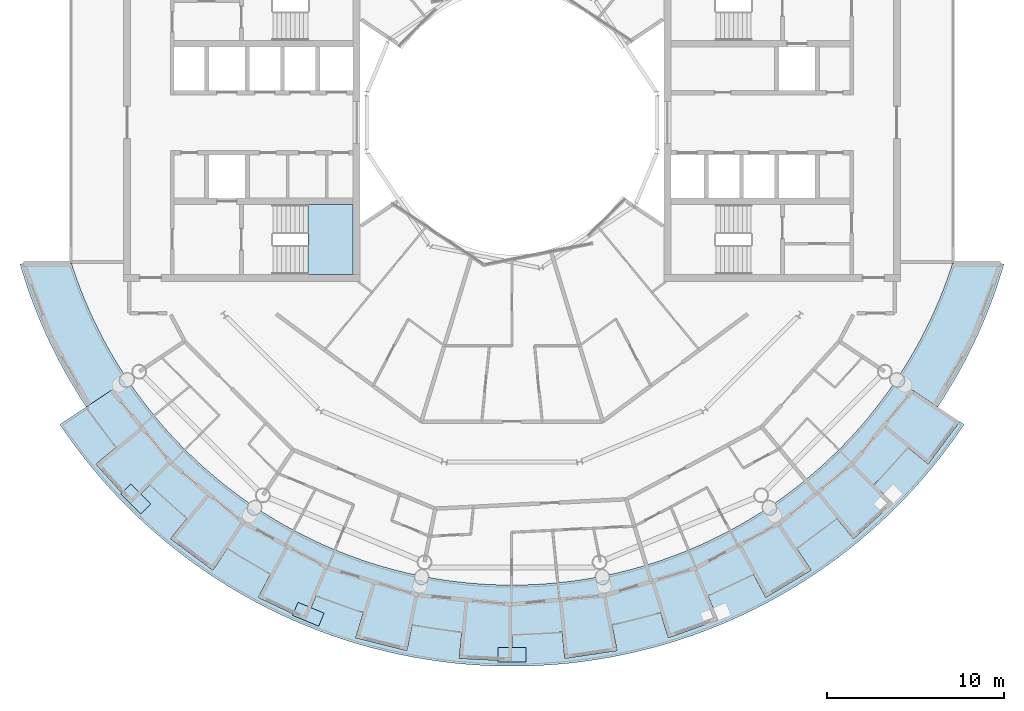
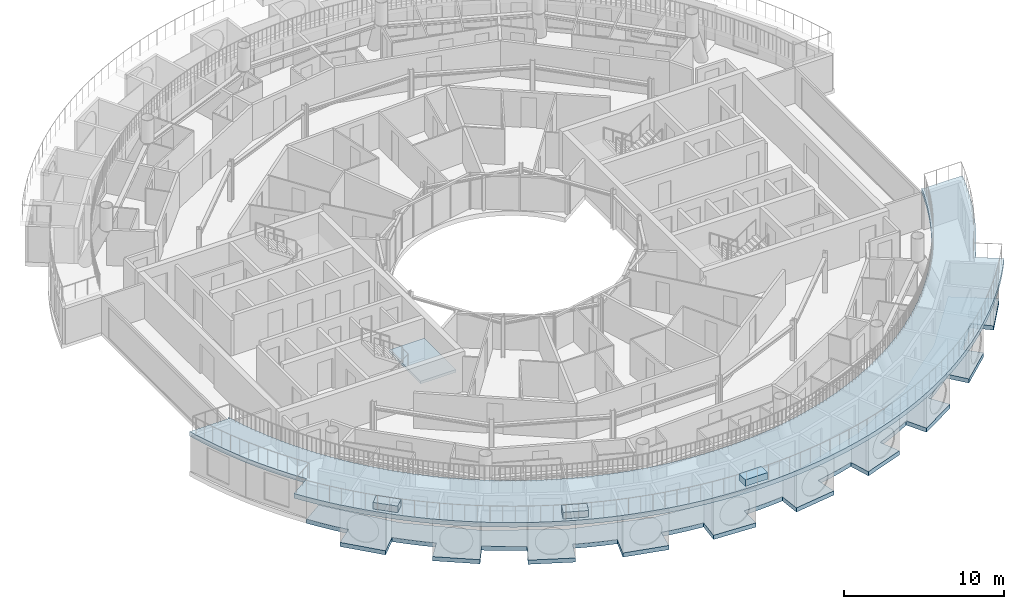
# One storey, part 11 of 29: 6 slabs, 1 element without a shape of its own.
"""IFC4 building model written with IfcOpenShell, lengths in metres."""

from ifc_helpers import new_model, si_unit, direction, frame, origin, place, context, subcontext, project, spatial, polyline, outline, extrude, material, layer, layer_set, type_object, element, aggregate, save


model = new_model("IFC4")

# Units and contexts
model_context = context("Model", 3, precision=1e-05, world=origin(), true_north=direction((0.0, 1.0)))
body_context = subcontext(model_context, "Body", "Model", "MODEL_VIEW")
ifc_project = project(units=[si_unit("LENGTHUNIT", "METRE"), si_unit("AREAUNIT", "SQUARE_METRE"), si_unit("VOLUMEUNIT", "CUBIC_METRE"), si_unit("PLANEANGLEUNIT", "RADIAN"), si_unit("MASSUNIT", "GRAM", prefix="KILO")], contexts=[model_context])

# Site, building, storey
site_placement = place(None, origin())
site = spatial("IfcSite", under=ifc_project, at=site_placement, CompositionType="ELEMENT")
building_placement = place(site_placement, origin())
building = spatial("IfcBuilding", under=site, at=building_placement, Name="Maasbend Ring Residences", CompositionType="ELEMENT")
storey_placement = place(building_placement, frame((0.0, 0.0, 234.050048828125)))
storey = spatial("IfcBuildingStorey", under=building, at=storey_placement, Name="L67", CompositionType="ELEMENT", Elevation=234.050048828125)

# Stair, slab
ifc_material_1 = material(Name="Concrete C40/50", Category="concrete")
stair_type = type_object("IfcStairType", Name="CORE STAIR 18 RISERS", PredefinedType="HALF_TURN_STAIR", material=ifc_material_1)
stair_placement = place(storey_placement, origin())
stair = element("IfcStair", 1, at=stair_placement, inside=storey, type_object=stair_type, Name="L67 Exit stair ST-W1", PredefinedType="HALF_TURN_STAIR")
ifc_material_2 = material(Name="Concrete C40/50", Category="concrete")
ifc_layer_1 = layer(ifc_material_2, 0.199951171875)
ifc_layer_set_1 = layer_set([ifc_layer_1], Name="Concrete C40/50")
slab_type_1 = type_object("IfcSlabType", Name="CORE STAIR LANDING 200", PredefinedType="LANDING", material=ifc_layer_set_1)
slab_1_placement = place(storey_placement, frame((0.0, 0.0, 1.324951171875)))
slab_1 = element("IfcSlab", 2, at=slab_1_placement, type_object=slab_type_1, Name="ST-W1 landing 1", PredefinedType="LANDING", context=body_context, shape_type="SweptSolid", body=[
    extrude(outline(polyline([(-11.550048828125, -8.60009765625), (-9.0, -8.60009765625), (-9.0, -4.64990234375), (-11.550048828125, -4.64990234375), (-11.550048828125, -8.60009765625)])), origin(), (0.0, 0.0, 1.0), 0.199951171875),
])
aggregate(stair, [slab_1])

# Slabs
ifc_material_3 = material(Name="Lawn and planting")
ifc_layer_2 = layer(ifc_material_3, 0.5)
ifc_layer_set_2 = layer_set([ifc_layer_2], Name="PLANTER-CT")
slab_type_2 = type_object("IfcSlabType", Name="PLANTER-CT", PredefinedType="USERDEFINED", material=ifc_layer_set_2)
slab_2_placement = place(storey_placement, frame((0.0, 0.0, 3.050048828125)))
element("IfcSlab", 3, at=slab_2_placement, inside=storey, type_object=slab_type_2, Name="Terrace planter 6", ObjectType="PLANTER", PredefinedType="USERDEFINED", context=body_context, shape_type="SweptSolid", body=[
    extrude(outline(polyline([(-22.16796875, -21.035888671875), (-21.035888671875, -22.16796875), (-20.470947265625, -21.60205078125), (-21.60205078125, -20.470947265625), (-22.16796875, -21.035888671875)])), origin(), (0.0, 0.0, 1.0), 0.5),
])
slab_3_placement = place(storey_placement, frame((0.0, 0.0, 3.050048828125)))
element("IfcSlab", 4, at=slab_3_placement, inside=storey, type_object=slab_type_2, Name="Terrace planter 7", ObjectType="PLANTER", PredefinedType="USERDEFINED", context=body_context, shape_type="SweptSolid", body=[
    extrude(outline(polyline([(-12.429931640625, -27.91796875), (-10.951904296875, -28.531005859375), (-10.64599609375, -27.7919921875), (-12.1240234375, -27.178955078125), (-12.429931640625, -27.91796875)])), origin(), (0.0, 0.0, 1.0), 0.5),
])
slab_4_placement = place(storey_placement, frame((0.0, 0.0, 3.050048828125)))
element("IfcSlab", 5, at=slab_4_placement, inside=storey, type_object=slab_type_2, Name="Terrace planter 8", ObjectType="PLANTER", PredefinedType="USERDEFINED", context=body_context, shape_type="SweptSolid", body=[
    extrude(outline(polyline([(-0.800048828125, -30.550048828125), (0.800048828125, -30.550048828125), (0.800048828125, -29.75), (-0.800048828125, -29.75), (-0.800048828125, -30.550048828125)])), origin(), (0.0, 0.0, 1.0), 0.5),
])
ifc_material_4 = material(Name="Concrete C40/50", Category="concrete")
ifc_layer_3 = layer(ifc_material_4, 0.199951171875)
ifc_layer_set_3 = layer_set([ifc_layer_3], Name="Concrete C40/50")
slab_type_3 = type_object("IfcSlabType", Name="SL-LOGGIA", PredefinedType="FLOOR", material=ifc_layer_set_3)
slab_5_placement = place(storey_placement, frame((0.0, 0.0, -0.35009765625)))
element("IfcSlab", 6, at=slab_5_placement, inside=storey, type_object=slab_type_3, Name="Loggia floor 1", PredefinedType="FLOOR", context=body_context, shape_type="SweptSolid", body=[
    extrude(outline(polyline([(-24.113037109375, -16.112060546875), (-24.113037109375, -16.112060546875), (-22.698974609375, -15.1669921875), (-22.698974609375, -15.1669921875), (-22.698974609375, -15.1669921875), (-21.001953125, -17.236083984375), (-19.303955078125, -19.303955078125), (-19.303955078125, -19.303955078125), (-19.303955078125, -19.303955078125), (-17.236083984375, -21.001953125), (-15.1669921875, -22.698974609375), (-15.1669921875, -22.698974609375), (-15.1669921875, -22.698974609375), (-12.806884765625, -23.9609375), (-10.447021484375, -25.221923828125), (-10.447021484375, -25.221923828125), (-10.447021484375, -25.221923828125), (-7.886962890625, -25.9990234375), (-5.325927734375, -26.77490234375), (-5.325927734375, -26.77490234375), (-5.325927734375, -26.77490234375), (-2.6630859375, -27.0380859375), (0.0, -27.300048828125), (0.0, -27.300048828125), (0.0, -27.300048828125), (2.6630859375, -27.0380859375), (5.325927734375, -26.77490234375), (5.325927734375, -26.77490234375), (5.325927734375, -26.77490234375), (7.886962890625, -25.9990234375), (10.447021484375, -25.221923828125), (10.447021484375, -25.221923828125), (10.447021484375, -25.221923828125), (12.806884765625, -23.9609375), (15.1669921875, -22.698974609375), (15.1669921875, -22.698974609375), (15.1669921875, -22.698974609375), (17.236083984375, -21.001953125), (19.303955078125, -19.303955078125), (19.303955078125, -19.303955078125), (19.303955078125, -19.303955078125), (21.001953125, -17.236083984375), (22.698974609375, -15.1669921875), (22.698974609375, -15.1669921875), (22.698974609375, -15.1669921875), (25.360107421875, -16.945068359375), (25.360107421875, -16.945068359375), (25.360107421875, -16.945068359375), (23.576904296875, -19.34912109375), (23.576904296875, -19.34912109375), (23.576904296875, -19.34912109375), (22.41796875, -18.39794921875), (22.41796875, -18.39794921875), (22.41796875, -18.39794921875), (22.41796875, -18.39794921875), (22.41796875, -18.39794921875), (22.4169921875, -18.39794921875), (22.4169921875, -18.39794921875), (22.4169921875, -18.39794921875), (22.4169921875, -18.39794921875), (22.4169921875, -18.39794921875), (22.4169921875, -18.39794921875), (22.4169921875, -18.39794921875), (22.4169921875, -18.39794921875), (22.4169921875, -18.39794921875), (22.4169921875, -18.39794921875), (22.4169921875, -18.39794921875), (22.4169921875, -18.39794921875), (21.802978515625, -19.12109375), (21.802978515625, -19.12109375), (21.166015625, -19.823974609375), (21.166015625, -19.823974609375), (20.506103515625, -20.506103515625), (20.506103515625, -20.506103515625), (20.506103515625, -20.506103515625), (20.506103515625, -20.506103515625), (20.506103515625, -20.506103515625), (20.506103515625, -20.506103515625), (20.506103515625, -20.506103515625), (20.506103515625, -20.506103515625), (20.506103515625, -20.506103515625), (20.506103515625, -20.506103515625), (20.506103515625, -20.506103515625), (20.506103515625, -20.506103515625), (20.506103515625, -20.506103515625), (20.506103515625, -20.506103515625), (20.506103515625, -20.506103515625), (20.506103515625, -20.506103515625), (20.506103515625, -20.506103515625), (21.56689453125, -21.56689453125), (21.56689453125, -21.56689453125), (21.56689453125, -21.56689453125), (19.34912109375, -23.576904296875), (19.34912109375, -23.576904296875), (19.34912109375, -23.576904296875), (18.39794921875, -22.41796875), (18.39794921875, -22.41796875), (18.39794921875, -22.41796875), (18.39794921875, -22.41796875), (18.39794921875, -22.41796875), (18.39794921875, -22.41796875), (18.39697265625, -22.41796875), (18.39697265625, -22.41796875), (18.39697265625, -22.41796875), (18.39697265625, -22.41796875), (18.39697265625, -22.41796875), (18.39697265625, -22.41796875), (18.39697265625, -22.41796875), (18.39697265625, -22.41796875), (18.39697265625, -22.41796875), (18.39697265625, -22.41796875), (18.39697265625, -22.41796875), (17.654052734375, -23.007080078125), (17.654052734375, -23.007080078125), (16.89208984375, -23.572998046875), (16.89208984375, -23.572998046875), (16.112060546875, -24.112060546875), (16.112060546875, -24.112060546875), (16.112060546875, -24.112060546875), (16.112060546875, -24.112060546875), (16.112060546875, -24.112060546875), (16.112060546875, -24.113037109375), (16.112060546875, -24.113037109375), (16.112060546875, -24.113037109375), (16.112060546875, -24.113037109375), (16.112060546875, -24.113037109375), (16.112060546875, -24.113037109375), (16.112060546875, -24.113037109375), (16.112060546875, -24.113037109375), (16.112060546875, -24.113037109375), (16.112060546875, -24.113037109375), (16.112060546875, -24.113037109375), (16.112060546875, -24.113037109375), (16.945068359375, -25.360107421875), (16.945068359375, -25.360107421875), (16.945068359375, -25.360107421875), (14.3779296875, -26.89892578125), (14.3779296875, -26.89892578125), (14.3779296875, -26.89892578125), (13.6708984375, -25.575927734375), (13.6708984375, -25.575927734375), (13.6708984375, -25.575927734375), (13.6708984375, -25.575927734375), (13.6708984375, -25.575927734375), (13.6708984375, -25.575927734375), (13.6708984375, -25.575927734375), (13.669921875, -25.575927734375), (13.669921875, -25.575927734375), (13.669921875, -25.575927734375), (13.669921875, -25.575927734375), (13.669921875, -25.575927734375), (13.669921875, -25.575927734375), (13.669921875, -25.575927734375), (13.669921875, -25.575927734375), (13.669921875, -25.575927734375), (13.669921875, -25.575927734375), (12.825927734375, -26.009033203125), (12.825927734375, -26.009033203125), (11.968994140625, -26.4150390625), (11.968994140625, -26.4150390625), (11.097900390625, -26.7919921875), (11.097900390625, -26.7919921875), (11.097900390625, -26.7919921875), (11.097900390625, -26.7919921875), (11.097900390625, -26.7919921875), (11.097900390625, -26.7919921875), (11.097900390625, -26.7919921875), (11.097900390625, -26.79296875), (11.097900390625, -26.79296875), (11.097900390625, -26.79296875), (11.097900390625, -26.79296875), (11.097900390625, -26.79296875), (11.097900390625, -26.79296875), (11.097900390625, -26.79296875), (11.097900390625, -26.79296875), (11.097900390625, -26.79296875), (11.097900390625, -26.79296875), (11.672119140625, -28.177978515625), (11.672119140625, -28.177978515625), (11.672119140625, -28.177978515625), (8.85400390625, -29.18701171875), (8.85400390625, -29.18701171875), (8.85400390625, -29.18701171875), (8.41796875, -27.751953125), (8.41796875, -27.751953125), (8.41796875, -27.751953125), (8.41796875, -27.751953125), (8.41796875, -27.751953125), (8.41796875, -27.751953125), (8.41796875, -27.751953125), (8.41796875, -27.7509765625), (8.41796875, -27.7509765625), (8.41796875, -27.7509765625), (8.41796875, -27.7509765625), (8.41796875, -27.7509765625), (8.41796875, -27.7509765625), (8.41796875, -27.7509765625), (8.41796875, -27.7509765625), (8.41796875, -27.7509765625), (8.41796875, -27.7509765625), (7.506103515625, -28.011962890625), (7.506103515625, -28.011962890625), (6.5849609375, -28.241943359375), (6.5849609375, -28.241943359375), (5.657958984375, -28.443115234375), (5.657958984375, -28.443115234375), (5.657958984375, -28.443115234375), (5.657958984375, -28.443115234375), (5.657958984375, -28.443115234375), (5.657958984375, -28.443115234375), (5.657958984375, -28.443115234375), (5.657958984375, -28.443115234375), (5.657958984375, -28.443115234375), (5.657958984375, -28.443115234375), (5.657958984375, -28.443115234375), (5.657958984375, -28.443115234375), (5.657958984375, -28.443115234375), (5.657958984375, -28.443115234375), (5.657958984375, -28.443115234375), (5.657958984375, -28.443115234375), (5.657958984375, -28.443115234375), (5.949951171875, -29.9140625), (5.949951171875, -29.9140625), (5.949951171875, -29.9140625), (2.989990234375, -30.35302734375), (2.989990234375, -30.35302734375), (2.989990234375, -30.35302734375), (2.843017578125, -28.861083984375), (2.843017578125, -28.861083984375), (2.843017578125, -28.861083984375), (2.843017578125, -28.861083984375), (2.842041015625, -28.861083984375), (2.842041015625, -28.861083984375), (2.842041015625, -28.861083984375), (2.842041015625, -28.861083984375), (2.842041015625, -28.861083984375), (2.842041015625, -28.860107421875), (2.842041015625, -28.860107421875), (2.842041015625, -28.860107421875), (2.842041015625, -28.860107421875), (2.842041015625, -28.860107421875), (2.842041015625, -28.860107421875), (2.842041015625, -28.860107421875), (2.842041015625, -28.860107421875), (1.89697265625, -28.93798828125), (1.89697265625, -28.93798828125), (0.948974609375, -28.98388671875), (0.948974609375, -28.98388671875), (0.0, -29.0), (0.0, -29.0), (0.0, -29.0), (0.0, -29.0), (0.0, -29.0), (0.0, -29.0), (0.0, -29.0), (0.0, -29.0), (0.0, -29.0), (0.0, -29.0), (0.0, -29.0), (0.0, -29.0), (0.0, -29.0), (0.0, -29.0), (0.0, -29.0), (0.0, -29.0), (0.0, -29.0), (0.0, -30.5), (0.0, -30.5), (0.0, -30.5), (-2.989990234375, -30.35302734375), (-2.989990234375, -30.35302734375), (-2.989990234375, -30.35302734375), (-2.843017578125, -28.861083984375), (-2.843017578125, -28.861083984375), (-2.843017578125, -28.861083984375), (-2.843017578125, -28.861083984375), (-2.843017578125, -28.861083984375), (-2.843017578125, -28.861083984375), (-2.843017578125, -28.861083984375), (-2.843017578125, -28.861083984375), (-2.843017578125, -28.860107421875), (-2.843017578125, -28.860107421875), (-2.843017578125, -28.860107421875), (-2.843017578125, -28.860107421875), (-2.843017578125, -28.860107421875), (-2.843017578125, -28.860107421875), (-2.843017578125, -28.860107421875), (-2.843017578125, -28.860107421875), (-2.843017578125, -28.860107421875), (-3.784912109375, -28.751953125), (-3.784912109375, -28.751953125), (-4.72412109375, -28.613037109375), (-4.72412109375, -28.613037109375), (-5.656982421875, -28.443115234375), (-5.656982421875, -28.443115234375), (-5.656982421875, -28.443115234375), (-5.656982421875, -28.443115234375), (-5.656982421875, -28.443115234375), (-5.656982421875, -28.443115234375), (-5.656982421875, -28.443115234375), (-5.656982421875, -28.443115234375), (-5.657958984375, -28.443115234375), (-5.657958984375, -28.443115234375), (-5.657958984375, -28.443115234375), (-5.657958984375, -28.443115234375), (-5.657958984375, -28.443115234375), (-5.657958984375, -28.443115234375), (-5.657958984375, -28.443115234375), (-5.657958984375, -28.443115234375), (-5.657958984375, -28.443115234375), (-5.949951171875, -29.9140625), (-5.949951171875, -29.9140625), (-5.949951171875, -29.9140625), (-8.85400390625, -29.18701171875), (-8.85400390625, -29.18701171875), (-8.85400390625, -29.18701171875), (-8.41796875, -27.751953125), (-8.41796875, -27.751953125), (-8.41796875, -27.751953125), (-8.41796875, -27.751953125), (-8.41796875, -27.751953125), (-8.41796875, -27.751953125), (-8.41796875, -27.7509765625), (-8.41796875, -27.7509765625), (-8.41796875, -27.7509765625), (-8.41796875, -27.7509765625), (-8.41796875, -27.7509765625), (-8.4189453125, -27.7509765625), (-8.4189453125, -27.7509765625), (-8.4189453125, -27.7509765625), (-8.4189453125, -27.7509765625), (-8.4189453125, -27.7509765625), (-8.4189453125, -27.7509765625), (-9.322021484375, -27.4609375), (-9.322021484375, -27.4609375), (-10.215087890625, -27.14111328125), (-10.215087890625, -27.14111328125), (-11.096923828125, -26.79296875), (-11.096923828125, -26.79296875), (-11.096923828125, -26.79296875), (-11.097900390625, -26.79296875), (-11.097900390625, -26.79296875), (-11.097900390625, -26.79296875), (-11.097900390625, -26.79296875), (-11.097900390625, -26.79296875), (-11.097900390625, -26.79296875), (-11.097900390625, -26.79296875), (-11.097900390625, -26.79296875), (-11.097900390625, -26.79296875), (-11.097900390625, -26.79296875), (-11.097900390625, -26.79296875), (-11.097900390625, -26.79296875), (-11.097900390625, -26.79296875), (-11.097900390625, -26.79296875), (-11.672119140625, -28.177978515625), (-11.672119140625, -28.177978515625), (-11.672119140625, -28.177978515625), (-14.3779296875, -26.89892578125), (-14.3779296875, -26.89892578125), (-14.3779296875, -26.89892578125), (-13.6708984375, -25.575927734375), (-13.6708984375, -25.575927734375), (-13.6708984375, -25.575927734375), (-13.6708984375, -25.575927734375), (-13.6708984375, -25.575927734375), (-13.6708984375, -25.575927734375), (-13.6708984375, -25.575927734375), (-13.6708984375, -25.575927734375), (-13.6708984375, -25.575927734375), (-13.6708984375, -25.575927734375), (-13.6708984375, -25.575927734375), (-13.6708984375, -25.575927734375), (-13.6708984375, -25.575927734375), (-13.6708984375, -25.575927734375), (-13.6708984375, -25.575927734375), (-13.6708984375, -25.575927734375), (-13.6708984375, -25.574951171875), (-14.5, -25.114990234375), (-14.5, -25.114990234375), (-15.31396484375, -24.626953125), (-15.31396484375, -24.626953125), (-16.111083984375, -24.113037109375), (-16.111083984375, -24.113037109375), (-16.111083984375, -24.113037109375), (-16.111083984375, -24.113037109375), (-16.111083984375, -24.113037109375), (-16.111083984375, -24.113037109375), (-16.111083984375, -24.113037109375), (-16.111083984375, -24.113037109375), (-16.111083984375, -24.113037109375), (-16.112060546875, -24.113037109375), (-16.112060546875, -24.113037109375), (-16.112060546875, -24.113037109375), (-16.112060546875, -24.113037109375), (-16.112060546875, -24.113037109375), (-16.112060546875, -24.113037109375), (-16.112060546875, -24.113037109375), (-16.112060546875, -24.113037109375), (-16.945068359375, -25.360107421875), (-16.945068359375, -25.360107421875), (-16.945068359375, -25.360107421875), (-19.34912109375, -23.576904296875), (-19.34912109375, -23.576904296875), (-19.34912109375, -23.576904296875), (-18.39794921875, -22.41796875), (-18.39794921875, -22.41796875), (-18.39794921875, -22.41796875), (-18.39794921875, -22.41796875), (-18.39794921875, -22.41796875), (-18.39794921875, -22.4169921875), (-18.39794921875, -22.4169921875), (-18.39794921875, -22.4169921875), (-18.39794921875, -22.4169921875), (-18.39794921875, -22.4169921875), (-18.39794921875, -22.4169921875), (-18.39794921875, -22.4169921875), (-18.39794921875, -22.4169921875), (-18.39794921875, -22.4169921875), (-18.39794921875, -22.4169921875), (-18.39794921875, -22.4169921875), (-18.39794921875, -22.4169921875), (-19.12109375, -21.802978515625), (-19.12109375, -21.802978515625), (-19.823974609375, -21.166015625), (-19.823974609375, -21.166015625), (-20.506103515625, -20.506103515625), (-20.506103515625, -20.506103515625), (-20.506103515625, -20.506103515625), (-20.506103515625, -20.506103515625), (-20.506103515625, -20.506103515625), (-20.506103515625, -20.506103515625), (-20.506103515625, -20.506103515625), (-20.506103515625, -20.506103515625), (-20.506103515625, -20.506103515625), (-20.506103515625, -20.506103515625), (-20.506103515625, -20.506103515625), (-20.506103515625, -20.506103515625), (-20.506103515625, -20.506103515625), (-20.506103515625, -20.506103515625), (-20.506103515625, -20.506103515625), (-20.506103515625, -20.506103515625), (-20.506103515625, -20.506103515625), (-21.56689453125, -21.56689453125), (-21.56689453125, -21.56689453125), (-21.56689453125, -21.56689453125), (-23.576904296875, -19.34912109375), (-23.576904296875, -19.34912109375), (-23.576904296875, -19.34912109375), (-22.41796875, -18.39794921875), (-22.41796875, -18.39794921875), (-22.41796875, -18.39794921875), (-22.41796875, -18.39794921875), (-22.41796875, -18.39794921875), (-22.41796875, -18.39794921875), (-22.41796875, -18.39697265625), (-22.41796875, -18.39697265625), (-22.41796875, -18.39697265625), (-22.41796875, -18.39697265625), (-22.41796875, -18.39697265625), (-22.41796875, -18.39697265625), (-22.41796875, -18.39697265625), (-22.41796875, -18.39697265625), (-22.41796875, -18.39697265625), (-22.41796875, -18.39697265625), (-22.41796875, -18.39697265625), (-23.007080078125, -17.654052734375), (-23.007080078125, -17.654052734375), (-23.572998046875, -16.89208984375), (-23.572998046875, -16.89208984375), (-24.113037109375, -16.112060546875), (-24.113037109375, -16.112060546875)])), origin(), (0.0, 0.0, 1.0), 0.320068359375),
])
ifc_material_5 = material(Name="Concrete C40/50", Category="concrete")
ifc_layer_4 = layer(ifc_material_5, 0.320068359375)
ifc_layer_set_4 = layer_set([ifc_layer_4], Name="Concrete C40/50")
slab_type_4 = type_object("IfcSlabType", Name="SL-TERR", PredefinedType="ROOF", material=ifc_layer_set_4)
slab_6_placement = place(storey_placement, frame((0.0, 0.0, 2.699951171875)))
element("IfcSlab", 7, at=slab_6_placement, inside=storey, type_object=slab_type_4, Name="Terrace roof L68 south", PredefinedType="ROOF", context=body_context, shape_type="SweptSolid", body=[
    extrude(outline(polyline([(24.20751953125, -19.04296875), (23.70751953125, -19.662109375), (23.191650390625, -20.267822265625), (22.660400390625, -20.8603515625), (22.11376953125, -21.438720703125), (21.552734375, -22.002685546875), (20.97705078125, -22.55224609375), (20.387451171875, -23.086669921875), (19.784423828125, -23.60546875), (19.16796875, -24.108642578125), (18.538818359375, -24.595947265625), (17.897216796875, -25.066650390625), (17.24365234375, -25.5205078125), (16.57861328125, -25.95751953125), (15.902587890625, -26.376953125), (15.2158203125, -26.779052734375), (14.51904296875, -27.1630859375), (13.8125, -27.529052734375), (13.0966796875, -27.876708984375), (12.372314453125, -28.205810546875), (11.639404296875, -28.51611328125), (10.89892578125, -28.80712890625), (10.151123046875, -29.0791015625), (9.396484375, -29.33154296875), (8.6357421875, -29.564697265625), (7.869140625, -29.77783203125), (7.09716796875, -29.97119140625), (6.320556640625, -30.14453125), (5.539794921875, -30.297607421875), (4.75537109375, -30.4306640625), (3.967529296875, -30.54345703125), (3.17724609375, -30.6357421875), (2.384765625, -30.70751953125), (1.5908203125, -30.7587890625), (0.795654296875, -30.789794921875), (0.0, -30.800048828125), (-0.795654296875, -30.789794921875), (-1.5908203125, -30.7587890625), (-2.384765625, -30.70751953125), (-3.17724609375, -30.6357421875), (-3.967529296875, -30.54345703125), (-4.75537109375, -30.4306640625), (-5.539794921875, -30.297607421875), (-6.320556640625, -30.14453125), (-7.09716796875, -29.97119140625), (-7.869140625, -29.77783203125), (-8.6357421875, -29.564697265625), (-9.396484375, -29.33154296875), (-10.151123046875, -29.0791015625), (-10.89892578125, -28.80712890625), (-11.639404296875, -28.51611328125), (-12.372314453125, -28.205810546875), (-13.0966796875, -27.876708984375), (-13.8125, -27.529052734375), (-14.51904296875, -27.1630859375), (-15.2158203125, -26.779052734375), (-15.902587890625, -26.376953125), (-16.57861328125, -25.95751953125), (-17.24365234375, -25.5205078125), (-17.897216796875, -25.066650390625), (-18.538818359375, -24.595947265625), (-19.16796875, -24.108642578125), (-19.784423828125, -23.60546875), (-20.387451171875, -23.086669921875), (-20.97705078125, -22.55224609375), (-21.552734375, -22.002685546875), (-22.11376953125, -21.438720703125), (-22.660400390625, -20.8603515625), (-23.191650390625, -20.267822265625), (-23.70751953125, -19.662109375), (-24.20751953125, -19.04296875), (-24.69140625, -18.411376953125), (-25.15869140625, -17.767333984375), (-25.609375, -17.111572265625), (-24.112548828125, -16.111572265625), (-24.112548828125, -16.111572265625), (-24.500732421875, -15.514892578125), (-24.8740234375, -14.908935546875), (-25.232421875, -14.2939453125), (-25.57568359375, -13.67041015625), (-25.903564453125, -13.038818359375), (-26.215576171875, -12.399169921875), (-26.511962890625, -11.751953125), (-26.79248046875, -11.097900390625), (-27.056884765625, -10.43701171875), (-27.3046875, -9.769775390625), (-27.536376953125, -9.0966796875), (-27.751220703125, -8.418212890625), (-27.87255859375, -8.0), (-25.0, -8.0), (-25.0, -7.837158203125), (-24.9765625, -7.91259765625), (-24.877685546875, -8.218505859375), (-24.77490234375, -8.523193359375), (-24.66845703125, -8.826416015625), (-24.558349609375, -9.128662109375), (-24.4443359375, -9.42919921875), (-24.326904296875, -9.728515625), (-24.20556640625, -10.0263671875), (-24.080810546875, -10.322509765625), (-23.952392578125, -10.617431640625), (-23.8203125, -10.910400390625), (-23.6845703125, -11.201904296875), (-23.545166015625, -11.49169921875), (-23.402587890625, -11.77978515625), (-23.256103515625, -12.066162109375), (-23.1064453125, -12.3505859375), (-22.953125, -12.63330078125), (-22.79638671875, -12.913818359375), (-22.635986328125, -13.192626953125), (-22.472412109375, -13.469482421875), (-22.305419921875, -13.744140625), (-22.13525390625, -14.016845703125), (-21.96142578125, -14.28759765625), (-21.784423828125, -14.555908203125), (-21.604248046875, -14.822265625), (-21.420654296875, -15.086181640625), (-21.23388671875, -15.347900390625), (-21.0439453125, -15.607421875), (-20.850830078125, -15.864501953125), (-20.65478515625, -16.119140625), (-20.455322265625, -16.371337890625), (-20.2529296875, -16.62109375), (-20.04736328125, -16.868408203125), (-19.8388671875, -17.113037109375), (-19.62744140625, -17.355224609375), (-19.412841796875, -17.5947265625), (-19.195556640625, -17.831787109375), (-18.975341796875, -18.06591796875), (-18.752197265625, -18.29736328125), (-18.526123046875, -18.526123046875), (-18.29736328125, -18.752197265625), (-18.06591796875, -18.975341796875), (-17.831787109375, -19.195556640625), (-17.5947265625, -19.412841796875), (-17.355224609375, -19.62744140625), (-17.113037109375, -19.8388671875), (-16.868408203125, -20.04736328125), (-16.62109375, -20.2529296875), (-16.371337890625, -20.455322265625), (-16.119140625, -20.65478515625), (-15.864501953125, -20.850830078125), (-15.607421875, -21.0439453125), (-15.347900390625, -21.23388671875), (-15.086181640625, -21.420654296875), (-14.822265625, -21.604248046875), (-14.555908203125, -21.784423828125), (-14.28759765625, -21.96142578125), (-14.016845703125, -22.13525390625), (-13.744140625, -22.305419921875), (-13.469482421875, -22.472412109375), (-13.192626953125, -22.635986328125), (-12.913818359375, -22.79638671875), (-12.63330078125, -22.953125), (-12.3505859375, -23.1064453125), (-12.066162109375, -23.256103515625), (-11.77978515625, -23.402587890625), (-11.49169921875, -23.545166015625), (-11.201904296875, -23.6845703125), (-10.910400390625, -23.8203125), (-10.617431640625, -23.952392578125), (-10.322509765625, -24.080810546875), (-10.0263671875, -24.20556640625), (-9.728515625, -24.326904296875), (-9.42919921875, -24.4443359375), (-9.128662109375, -24.558349609375), (-8.826416015625, -24.66845703125), (-8.523193359375, -24.77490234375), (-8.218505859375, -24.877685546875), (-7.91259765625, -24.9765625), (-7.60546875, -25.07177734375), (-7.297119140625, -25.163330078125), (-6.98779296875, -25.2509765625), (-6.677490234375, -25.334716796875), (-6.365966796875, -25.414794921875), (-6.0537109375, -25.490966796875), (-5.740478515625, -25.5634765625), (-5.42626953125, -25.6318359375), (-5.111328125, -25.696533203125), (-4.795654296875, -25.75732421875), (-4.479248046875, -25.814208984375), (-4.162109375, -25.8671875), (-3.84423828125, -25.91650390625), (-3.526123046875, -25.961669921875), (-3.207275390625, -26.0029296875), (-2.887939453125, -26.040283203125), (-2.568115234375, -26.07373046875), (-2.247802734375, -26.103271484375), (-1.927490234375, -26.12890625), (-1.606689453125, -26.150634765625), (-1.28564453125, -26.16845703125), (-0.96435546875, -26.18212890625), (-0.64306640625, -26.192138671875), (-0.321533203125, -26.197998046875), (0.0, -26.199951171875), (0.321533203125, -26.197998046875), (0.64306640625, -26.192138671875), (0.96435546875, -26.18212890625), (1.28564453125, -26.16845703125), (1.606689453125, -26.150634765625), (1.927490234375, -26.12890625), (2.247802734375, -26.103271484375), (2.568115234375, -26.07373046875), (2.887939453125, -26.040283203125), (3.207275390625, -26.0029296875), (3.526123046875, -25.961669921875), (3.84423828125, -25.91650390625), (4.162109375, -25.8671875), (4.479248046875, -25.814208984375), (4.795654296875, -25.75732421875), (5.111328125, -25.696533203125), (5.42626953125, -25.6318359375), (5.740478515625, -25.5634765625), (6.0537109375, -25.490966796875), (6.365966796875, -25.414794921875), (6.677490234375, -25.334716796875), (6.98779296875, -25.2509765625), (7.297119140625, -25.163330078125), (7.60546875, -25.07177734375), (7.91259765625, -24.9765625), (8.218505859375, -24.877685546875), (8.523193359375, -24.77490234375), (8.826416015625, -24.66845703125), (9.128662109375, -24.558349609375), (9.42919921875, -24.4443359375), (9.728515625, -24.326904296875), (10.0263671875, -24.20556640625), (10.322509765625, -24.080810546875), (10.617431640625, -23.952392578125), (10.910400390625, -23.8203125), (11.201904296875, -23.6845703125), (11.49169921875, -23.545166015625), (11.77978515625, -23.402587890625), (12.066162109375, -23.256103515625), (12.3505859375, -23.1064453125), (12.63330078125, -22.953125), (12.913818359375, -22.79638671875), (13.192626953125, -22.635986328125), (13.469482421875, -22.472412109375), (13.744140625, -22.305419921875), (14.016845703125, -22.13525390625), (14.28759765625, -21.96142578125), (14.555908203125, -21.784423828125), (14.822265625, -21.604248046875), (15.086181640625, -21.420654296875), (15.347900390625, -21.23388671875), (15.607421875, -21.0439453125), (15.864501953125, -20.850830078125), (16.119140625, -20.65478515625), (16.371337890625, -20.455322265625), (16.62109375, -20.2529296875), (16.868408203125, -20.04736328125), (17.113037109375, -19.8388671875), (17.355224609375, -19.62744140625), (17.5947265625, -19.412841796875), (17.831787109375, -19.195556640625), (18.06591796875, -18.975341796875), (18.29736328125, -18.752197265625), (18.526123046875, -18.526123046875), (18.752197265625, -18.29736328125), (18.975341796875, -18.06591796875), (19.195556640625, -17.831787109375), (19.412841796875, -17.5947265625), (19.62744140625, -17.355224609375), (19.8388671875, -17.113037109375), (20.04736328125, -16.868408203125), (20.2529296875, -16.62109375), (20.455322265625, -16.371337890625), (20.65478515625, -16.119140625), (20.850830078125, -15.864501953125), (21.0439453125, -15.607421875), (21.23388671875, -15.347900390625), (21.420654296875, -15.086181640625), (21.604248046875, -14.822265625), (21.784423828125, -14.555908203125), (21.96142578125, -14.28759765625), (22.13525390625, -14.016845703125), (22.305419921875, -13.744140625), (22.472412109375, -13.469482421875), (22.635986328125, -13.192626953125), (22.79638671875, -12.913818359375), (22.953125, -12.63330078125), (23.1064453125, -12.3505859375), (23.256103515625, -12.066162109375), (23.402587890625, -11.77978515625), (23.545166015625, -11.49169921875), (23.6845703125, -11.201904296875), (23.8203125, -10.910400390625), (23.952392578125, -10.617431640625), (24.080810546875, -10.322509765625), (24.20556640625, -10.0263671875), (24.326904296875, -9.728515625), (24.4443359375, -9.42919921875), (24.558349609375, -9.128662109375), (24.66845703125, -8.826416015625), (24.77490234375, -8.523193359375), (24.877685546875, -8.218505859375), (24.9765625, -7.91259765625), (25.0, -7.837158203125), (25.0, -8.0), (27.87255859375, -8.0), (27.751220703125, -8.418212890625), (27.536376953125, -9.0966796875), (27.3046875, -9.769775390625), (27.056884765625, -10.43701171875), (26.79248046875, -11.097900390625), (26.511962890625, -11.751953125), (26.215576171875, -12.399169921875), (25.903564453125, -13.038818359375), (25.57568359375, -13.67041015625), (25.232421875, -14.2939453125), (24.8740234375, -14.908935546875), (24.500732421875, -15.514892578125), (24.112548828125, -16.111572265625), (25.609375, -17.111572265625), (25.15869140625, -17.767333984375), (24.69140625, -18.411376953125), (24.20751953125, -19.04296875)])), origin(), (0.0, 0.0, 1.0), 0.35009765625),
])

save(model, "model.ifc")
